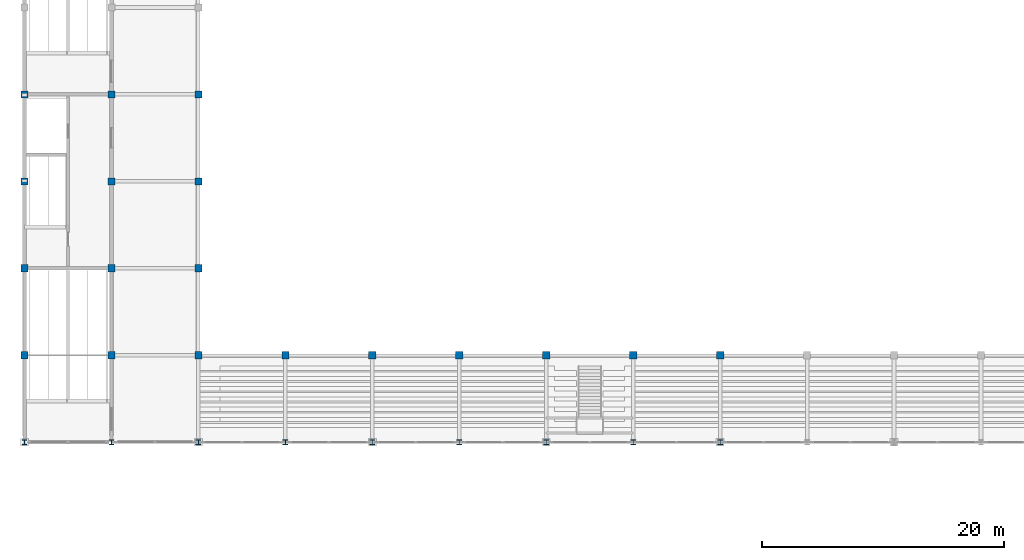
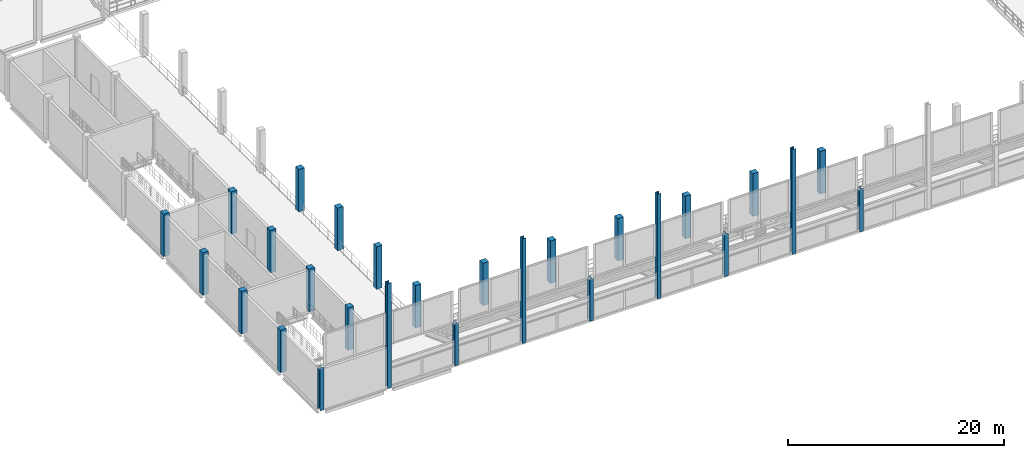
# One storey, part 1 of 120: 27 columns.
"""IFC4 building model written with IfcOpenShell, lengths in metres."""

from ifc_helpers import new_model, si_unit, direction, frame, origin, origin_2d, place, context, subcontext, project, spatial, rectangle, i_section, extrude, material, material_profile, profile_set, type_object, element, save


model = new_model("IFC4")

# Units and contexts
model_context = context("Model", 3, precision=1e-05, world=origin(), true_north=direction((0.0, 1.0)))
body_context = subcontext(model_context, "Body", "Model", "MODEL_VIEW")
ifc_project = project(units=[si_unit("LENGTHUNIT", "METRE"), si_unit("AREAUNIT", "SQUARE_METRE"), si_unit("VOLUMEUNIT", "CUBIC_METRE"), si_unit("PLANEANGLEUNIT", "RADIAN"), si_unit("MASSUNIT", "GRAM", prefix="KILO")], contexts=[model_context])

# Site, building, storey
site_placement = place(None, origin())
site = spatial("IfcSite", under=ifc_project, at=site_placement, CompositionType="ELEMENT")
building_placement = place(site_placement, origin())
building = spatial("IfcBuilding", under=site, at=building_placement, Name="Vesperath Aquatics Centre", CompositionType="ELEMENT")
storey_placement = place(building_placement, frame((0.0, 0.0, 10.199951171875)))
storey = spatial("IfcBuildingStorey", under=building, at=storey_placement, Name="L02", CompositionType="ELEMENT", Elevation=10.199951171875)

# Columns
ifc_material_1 = material(Name="Concrete C40", Category="concrete")
ifc_material_profile_1 = material_profile(ifc_material_1, rectangle(XDim=0.60009765625, YDim=0.60009765625, at=origin_2d()), Name="RC 600x600")
ifc_profile_set_1 = profile_set([ifc_material_profile_1], Name="Concrete C40")
column_type_1 = type_object("IfcColumnType", Name="CL-C06", PredefinedType="COLUMN", material=ifc_profile_set_1)
for number, where, z_axis, x_axis, name in (
    (1, (0.0, 21.60009765625, 0.0), (0.0, 0.0, 1.0), (1.0, 0.0, 0.0), "Column C06 L02 1/D"),
    (2, (0.0, 28.800048828125, 0.0), (0.0, 0.0, 1.0), (1.0, 0.0, 0.0), "Column C06 L02 1/E"),
    (3, (0.0, 36.0, 0.0), (0.0, 0.0, 1.0), (1.0, 0.0, 0.0), "Column C06 L02 1/F"),
    (4, (0.0, 43.199951171875, 0.0), (0.0, 0.0, 1.0), (1.0, 0.0, 0.0), "Column C06 L02 1/G"),
    (5, (7.199951171875, 21.60009765625, 0.0), (0.0, 0.0, 1.0), (1.0, 0.0, 0.0), "Column C06 L02 2/D"),
    (6, (7.199951171875, 28.800048828125, 0.0), (0.0, 0.0, 1.0), (1.0, 0.0, 0.0), "Column C06 L02 2/E"),
    (7, (7.199951171875, 36.0, 0.0), (0.0, 0.0, 1.0), (1.0, 0.0, 0.0), "Column C06 L02 2/F"),
    (8, (7.199951171875, 43.199951171875, 0.0), (0.0, 0.0, 1.0), (1.0, 0.0, 0.0), "Column C06 L02 2/G"),
    (9, (14.39990234375, 21.60009765625, 0.0), (0.0, 0.0, 1.0), (1.0, 0.0, 0.0), "Column C06 L02 3/D"),
    (10, (14.39990234375, 28.800048828125, 0.0), (0.0, 0.0, 1.0), (1.0, 0.0, 0.0), "Column C06 L02 3/E"),
    (11, (14.39990234375, 36.0, 0.0), (0.0, 0.0, 1.0), (1.0, 0.0, 0.0), "Column C06 L02 3/F"),
    (12, (14.39990234375, 43.199951171875, 0.0), (0.0, 0.0, 1.0), (1.0, 0.0, 0.0), "Column C06 L02 3/G"),
    (13, (21.60009765625, 21.60009765625, 0.0), (0.0, 0.0, 1.0), (1.0, 0.0, 0.0), "Column C06 L02 4/D"),
    (14, (28.800048828125, 21.60009765625, 0.0), (0.0, 0.0, 1.0), (1.0, 0.0, 0.0), "Column C06 L02 5/D"),
    (15, (36.0, 21.60009765625, 0.0), (0.0, 0.0, 1.0), (1.0, 0.0, 0.0), "Column C06 L02 6/D"),
    (16, (43.199951171875, 21.60009765625, 0.0), (0.0, 0.0, 1.0), (1.0, 0.0, 0.0), "Column C06 L02 7/D"),
    (17, (50.39990234375, 21.60009765625, 0.0), (0.0, 0.0, 1.0), (1.0, 0.0, 0.0), "Column C06 L02 8/D"),
    (18, (57.60009765625, 21.60009765625, 0.0), (0.0, 0.0, 1.0), (1.0, 0.0, 0.0), "Column C06 L02 9/D"),
):
    element("IfcColumn", number, at=place(storey_placement, frame(where, z_axis=z_axis, x_axis=x_axis)), inside=storey, type_object=column_type_1, Name=name, PredefinedType="COLUMN", context=body_context, shape_type="SweptSolid", body=[
        extrude(rectangle(XDim=0.60009765625, YDim=0.60009765625, at=origin_2d()), origin(), (0.0, 0.0, 1.0), 4.800048828125),
    ])
ifc_material_2 = material(Name="Steel Q355D", Category="steel")
ifc_material_profile_2 = material_profile(ifc_material_2, i_section(OverallWidth=0.406982421875, OverallDepth=0.427978515625, WebThickness=0.02001953125, FlangeThickness=0.034912109375, FilletRadius=0.02197265625, at=origin_2d()), Name="HW 428x407x20x35")
ifc_profile_set_2 = profile_set([ifc_material_profile_2], Name="Steel Q355D")
column_type_2 = type_object("IfcColumnType", Name="CL-C09", PredefinedType="COLUMN", material=ifc_profile_set_2)
column_1_placement = place(storey_placement, frame((0.0, 14.39990234375, 0.0), z_axis=(0.0, 0.0, 1.0), x_axis=(1.0, 0.0, 0.0)))
element("IfcColumn", 19, at=column_1_placement, inside=storey, type_object=column_type_2, Name="Column C09 L02 1/C", PredefinedType="COLUMN", context=body_context, shape_type="SweptSolid", body=[
    extrude(i_section(OverallWidth=0.406982421875, OverallDepth=0.427978515625, WebThickness=0.02001953125, FlangeThickness=0.034912109375, FilletRadius=0.02197265625, at=origin_2d()), origin(), (0.0, 0.0, 1.0), 4.800048828125),
])
column_2_placement = place(storey_placement, frame((7.199951171875, 14.39990234375, 0.0), z_axis=(0.0, 0.0, 1.0), x_axis=(1.0, 0.0, 0.0)))
element("IfcColumn", 20, at=column_2_placement, inside=storey, type_object=column_type_2, Name="Column C09 L02 2/C", PredefinedType="COLUMN", context=body_context, shape_type="SweptSolid", body=[
    extrude(i_section(OverallWidth=0.406982421875, OverallDepth=0.427978515625, WebThickness=0.02001953125, FlangeThickness=0.034912109375, FilletRadius=0.02197265625, at=origin_2d()), origin(), (0.0, 0.0, 1.0), 11.824951171875),
])
column_3_placement = place(storey_placement, frame((14.39990234375, 14.39990234375, 0.0), z_axis=(0.0, 0.0, 1.0), x_axis=(1.0, 0.0, 0.0)))
element("IfcColumn", 21, at=column_3_placement, inside=storey, type_object=column_type_2, Name="Column C09 L02 3/C", PredefinedType="COLUMN", context=body_context, shape_type="SweptSolid", body=[
    extrude(i_section(OverallWidth=0.406982421875, OverallDepth=0.427978515625, WebThickness=0.02001953125, FlangeThickness=0.034912109375, FilletRadius=0.02197265625, at=origin_2d()), origin(), (0.0, 0.0, 1.0), 4.800048828125),
])
column_4_placement = place(storey_placement, frame((21.60009765625, 14.39990234375, 0.0), z_axis=(0.0, 0.0, 1.0), x_axis=(1.0, 0.0, 0.0)))
element("IfcColumn", 22, at=column_4_placement, inside=storey, type_object=column_type_2, Name="Column C09 L02 4/C", PredefinedType="COLUMN", context=body_context, shape_type="SweptSolid", body=[
    extrude(i_section(OverallWidth=0.406982421875, OverallDepth=0.427978515625, WebThickness=0.02001953125, FlangeThickness=0.034912109375, FilletRadius=0.02197265625, at=origin_2d()), origin(), (0.0, 0.0, 1.0), 11.824951171875),
])
column_5_placement = place(storey_placement, frame((28.800048828125, 14.39990234375, 0.0), z_axis=(0.0, 0.0, 1.0), x_axis=(1.0, 0.0, 0.0)))
element("IfcColumn", 23, at=column_5_placement, inside=storey, type_object=column_type_2, Name="Column C09 L02 5/C", PredefinedType="COLUMN", context=body_context, shape_type="SweptSolid", body=[
    extrude(i_section(OverallWidth=0.406982421875, OverallDepth=0.427978515625, WebThickness=0.02001953125, FlangeThickness=0.034912109375, FilletRadius=0.02197265625, at=origin_2d()), origin(), (0.0, 0.0, 1.0), 4.800048828125),
])
column_6_placement = place(storey_placement, frame((36.0, 14.39990234375, 0.0), z_axis=(0.0, 0.0, 1.0), x_axis=(1.0, 0.0, 0.0)))
element("IfcColumn", 24, at=column_6_placement, inside=storey, type_object=column_type_2, Name="Column C09 L02 6/C", PredefinedType="COLUMN", context=body_context, shape_type="SweptSolid", body=[
    extrude(i_section(OverallWidth=0.406982421875, OverallDepth=0.427978515625, WebThickness=0.02001953125, FlangeThickness=0.034912109375, FilletRadius=0.02197265625, at=origin_2d()), origin(), (0.0, 0.0, 1.0), 11.824951171875),
])
column_7_placement = place(storey_placement, frame((43.199951171875, 14.39990234375, 0.0), z_axis=(0.0, 0.0, 1.0), x_axis=(1.0, 0.0, 0.0)))
element("IfcColumn", 25, at=column_7_placement, inside=storey, type_object=column_type_2, Name="Column C09 L02 7/C", PredefinedType="COLUMN", context=body_context, shape_type="SweptSolid", body=[
    extrude(i_section(OverallWidth=0.406982421875, OverallDepth=0.427978515625, WebThickness=0.02001953125, FlangeThickness=0.034912109375, FilletRadius=0.02197265625, at=origin_2d()), origin(), (0.0, 0.0, 1.0), 4.800048828125),
])
column_8_placement = place(storey_placement, frame((50.39990234375, 14.39990234375, 0.0), z_axis=(0.0, 0.0, 1.0), x_axis=(1.0, 0.0, 0.0)))
element("IfcColumn", 26, at=column_8_placement, inside=storey, type_object=column_type_2, Name="Column C09 L02 8/C", PredefinedType="COLUMN", context=body_context, shape_type="SweptSolid", body=[
    extrude(i_section(OverallWidth=0.406982421875, OverallDepth=0.427978515625, WebThickness=0.02001953125, FlangeThickness=0.034912109375, FilletRadius=0.02197265625, at=origin_2d()), origin(), (0.0, 0.0, 1.0), 11.824951171875),
])
column_9_placement = place(storey_placement, frame((57.60009765625, 14.39990234375, 0.0), z_axis=(0.0, 0.0, 1.0), x_axis=(1.0, 0.0, 0.0)))
element("IfcColumn", 27, at=column_9_placement, inside=storey, type_object=column_type_2, Name="Column C09 L02 9/C", PredefinedType="COLUMN", context=body_context, shape_type="SweptSolid", body=[
    extrude(i_section(OverallWidth=0.406982421875, OverallDepth=0.427978515625, WebThickness=0.02001953125, FlangeThickness=0.034912109375, FilletRadius=0.02197265625, at=origin_2d()), origin(), (0.0, 0.0, 1.0), 4.800048828125),
])

save(model, "model.ifc")
